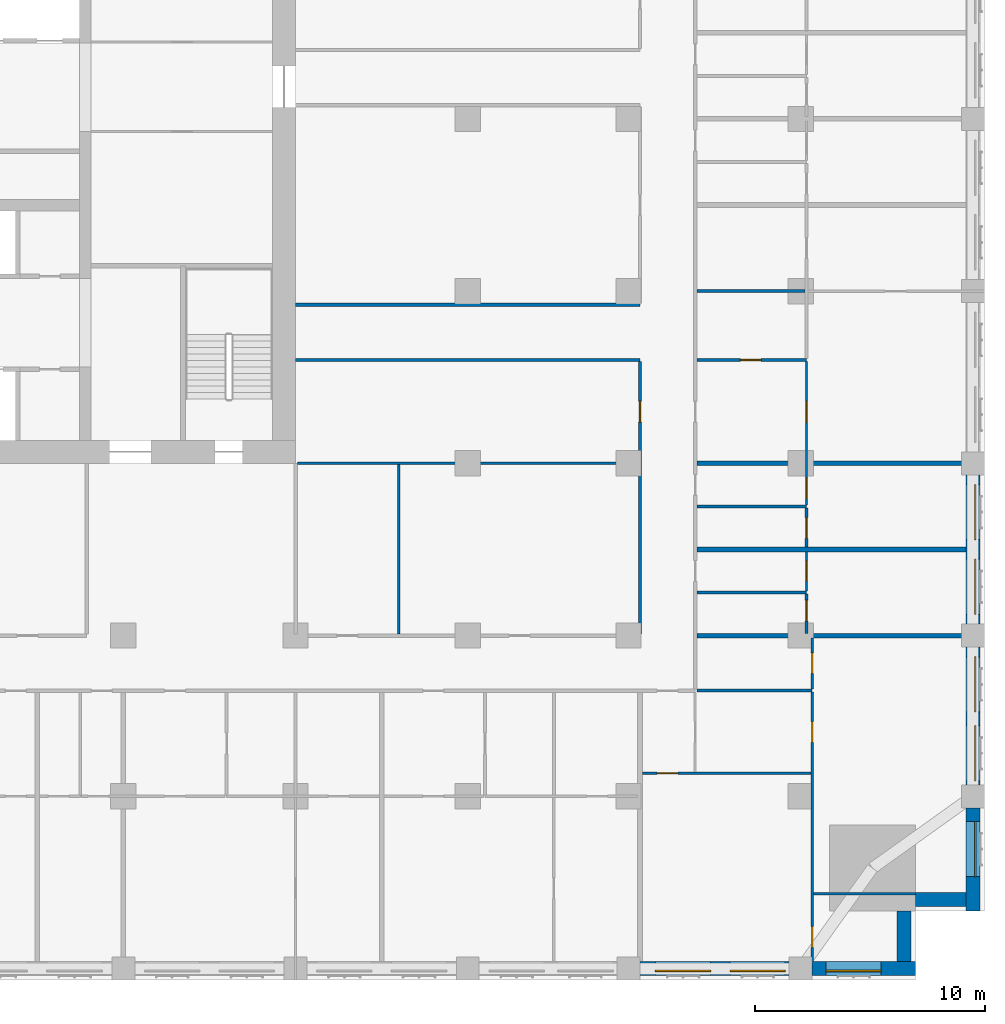
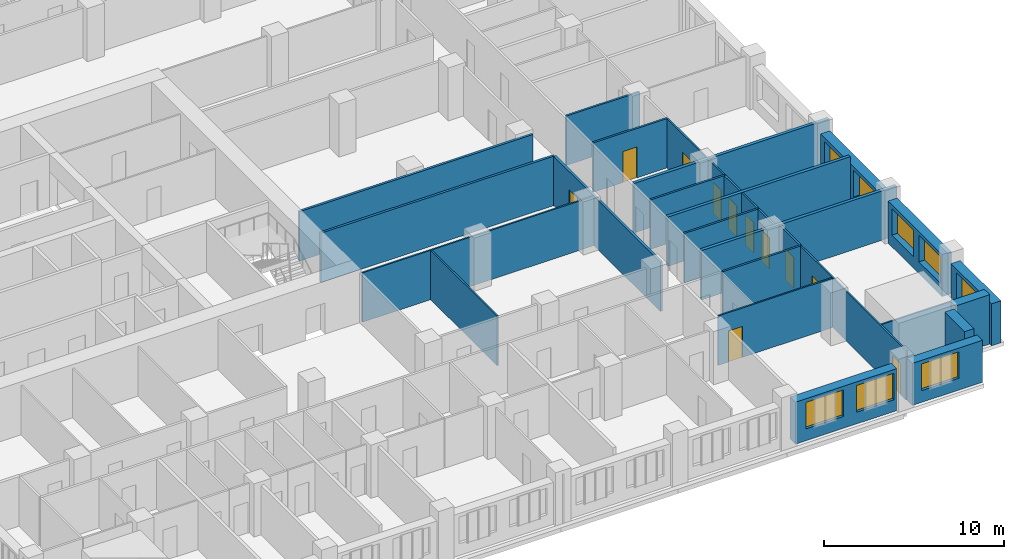
# One storey, part 7 of 15: 28 walls, 11 doors, 8 windows, 19 openings.
"""IFC4 building model written with IfcOpenShell, lengths in metres."""

from ifc_helpers import new_model, si_unit, direction, frame, frame_2d, origin, place, context, subcontext, project, spatial, rectangle, extrude, material, layer, layer_set, type_object, element, fill, save


model = new_model("IFC4")

# Units and contexts
model_context = context("Model", 3, precision=1e-05, world=origin(), true_north=direction((0.0, 1.0)))
body_context = subcontext(model_context, "Body", "Model", "MODEL_VIEW")
ifc_project = project(units=[si_unit("LENGTHUNIT", "METRE"), si_unit("AREAUNIT", "SQUARE_METRE"), si_unit("VOLUMEUNIT", "CUBIC_METRE"), si_unit("PLANEANGLEUNIT", "RADIAN"), si_unit("MASSUNIT", "GRAM", prefix="KILO")], contexts=[model_context])

# Site, building, storey
site_placement = place(None, origin())
site = spatial("IfcSite", under=ifc_project, at=site_placement, CompositionType="ELEMENT")
building_placement = place(site_placement, origin())
building = spatial("IfcBuilding", under=site, at=building_placement, Name="Tamorin Gate", CompositionType="ELEMENT")
storey_placement = place(building_placement, frame((0.0, 0.0, 82.699951171875)))
storey = spatial("IfcBuildingStorey", under=building, at=storey_placement, Name="L19", CompositionType="ELEMENT", Elevation=82.699951171875)

# Wall, openings, windows
ifc_material_1 = material(Name="Precast concrete C40/50", Category="concrete")
ifc_layer_1 = layer(ifc_material_1, 0.60009765625)
ifc_layer_set_1 = layer_set([ifc_layer_1], Name="Precast concrete C40/50")
wall_type_1 = type_object("IfcWallType", Name="Board-marked concrete facade panel 600", PredefinedType="SOLIDWALL", material=ifc_layer_set_1)
wall_1_placement = place(storey_placement, frame((75.0, 38.0, 0.0), z_axis=(0.0, 0.0, 1.0), x_axis=(1.0, 0.0, 0.0)))
wall_1 = element("IfcWall", 1, at=wall_1_placement, inside=storey, type_object=wall_type_1, Name="Facade panel", PredefinedType="SOLIDWALL", context=body_context, shape_type="SweptSolid", body=[
    extrude(rectangle(XDim=6.5, YDim=0.60009765625, at=frame_2d((3.25, 0.0))), origin(), (0.0, 0.0, 1.0), 2.85009765625),
])
opening_1_placement = place(wall_1_placement, frame((0.675048828125, 0.0, 0.800048828125)))
opening_1 = element("IfcOpeningElement", 2, at=opening_1_placement, cuts=wall_1, Name="Opening WN1", PredefinedType="OPENING", context=body_context, shape_type="SweptSolid", body=[
    extrude(rectangle(XDim=2.39990234375, YDim=1.800048828125, at=frame_2d((1.199951171875, 0.89990234375))), frame((0.0, 0.31005859375, 0.0), z_axis=(0.0, -1.0, 0.0), x_axis=(1.0, 0.0, 0.0)), (0.0, 0.0, 1.0), 0.6201171875),
])
opening_2_placement = place(wall_1_placement, frame((3.925048828125, 0.0, 0.800048828125)))
opening_2 = element("IfcOpeningElement", 3, at=opening_2_placement, cuts=wall_1, Name="Opening WN1", PredefinedType="OPENING", context=body_context, shape_type="SweptSolid", body=[
    extrude(rectangle(XDim=2.39990234375, YDim=1.800048828125, at=frame_2d((1.199951171875, 0.89990234375))), frame((0.0, 0.31005859375, 0.0), z_axis=(0.0, -1.0, 0.0), x_axis=(1.0, 0.0, 0.0)), (0.0, 0.0, 1.0), 0.6201171875),
])
ifc_material_2 = material(Name="Clear glass in aluminium frame", Category="aluminium")
window_type = type_object("IfcWindowType", Name="Deep-set window 2400x1800", PartitioningType="SINGLE_PANEL", PredefinedType="WINDOW", material=ifc_material_2)
window_1_placement = place(opening_1_placement, origin())
window_1 = element("IfcWindow", 4, at=window_1_placement, inside=storey, type_object=window_type, Name="Deep-set window", OverallHeight=1.800048828125, OverallWidth=2.39990234375, PartitioningType="SINGLE_PANEL", PredefinedType="WINDOW", context=body_context, shape_type="SweptSolid", body=[
    extrude(rectangle(XDim=2.39990234375, YDim=1.800048828125, at=frame_2d((1.199951171875, 0.89990234375))), frame((0.0, -0.070068359375, 0.0), z_axis=(0.0, -1.0, 0.0), x_axis=(1.0, 0.0, 0.0)), (0.0, 0.0, 1.0), 0.06005859375),
])
fill(opening_1, window_1)
window_2_placement = place(opening_2_placement, origin())
window_2 = element("IfcWindow", 5, at=window_2_placement, inside=storey, type_object=window_type, Name="Deep-set window", OverallHeight=1.800048828125, OverallWidth=2.39990234375, PartitioningType="SINGLE_PANEL", PredefinedType="WINDOW", context=body_context, shape_type="SweptSolid", body=[
    extrude(rectangle(XDim=2.39990234375, YDim=1.800048828125, at=frame_2d((1.199951171875, 0.89990234375))), frame((0.0, -0.070068359375, 0.0), z_axis=(0.0, -1.0, 0.0), x_axis=(1.0, 0.0, 0.0)), (0.0, 0.0, 1.0), 0.06005859375),
])
fill(opening_2, window_2)

# Wall, opening, window
wall_2_placement = place(storey_placement, frame((82.5, 38.0, 0.0), z_axis=(0.0, 0.0, 1.0), x_axis=(1.0, 0.0, 0.0)))
wall_2 = element("IfcWall", 6, at=wall_2_placement, inside=storey, type_object=wall_type_1, Name="Facade panel", PredefinedType="SOLIDWALL", context=body_context, shape_type="SweptSolid", body=[
    extrude(rectangle(XDim=4.5, YDim=0.60009765625, at=frame_2d((2.25, 0.0))), origin(), (0.0, 0.0, 1.0), 2.85009765625),
])
opening_3_placement = place(wall_2_placement, frame((0.60009765625, 0.0, 0.800048828125)))
opening_3 = element("IfcOpeningElement", 7, at=opening_3_placement, cuts=wall_2, Name="Opening WN1", PredefinedType="OPENING", context=body_context, shape_type="SweptSolid", body=[
    extrude(rectangle(XDim=2.39990234375, YDim=1.800048828125, at=frame_2d((1.199951171875, 0.89990234375))), frame((0.0, 0.31005859375, 0.0), z_axis=(0.0, -1.0, 0.0), x_axis=(1.0, 0.0, 0.0)), (0.0, 0.0, 1.0), 0.6201171875),
])
window_3_placement = place(opening_3_placement, origin())
window_3 = element("IfcWindow", 8, at=window_3_placement, inside=storey, type_object=window_type, Name="Deep-set window", OverallHeight=1.800048828125, OverallWidth=2.39990234375, PartitioningType="SINGLE_PANEL", PredefinedType="WINDOW", context=body_context, shape_type="SweptSolid", body=[
    extrude(rectangle(XDim=2.39990234375, YDim=1.800048828125, at=frame_2d((1.199951171875, 0.89990234375))), frame((0.0, -0.070068359375, 0.0), z_axis=(0.0, -1.0, 0.0), x_axis=(1.0, 0.0, 0.0)), (0.0, 0.0, 1.0), 0.06005859375),
])
fill(opening_3, window_3)

# Walls
for number, where, z_axis, x_axis, name in (
    (9, (86.5, 38.300048828125, 0.0), (0.0, 0.0, 1.0), (0.0, 1.0, 0.0), "Facade panel"),
    (10, (87.0, 41.0, 0.0), (0.0, 0.0, 1.0), (1.0, 0.0, 0.0), "Facade panel"),
):
    element("IfcWall", number, at=place(storey_placement, frame(where, z_axis=z_axis, x_axis=x_axis)), inside=storey, type_object=wall_type_1, Name=name, PredefinedType="SOLIDWALL", context=body_context, shape_type="SweptSolid", body=[
        extrude(rectangle(XDim=2.199951171875, YDim=0.60009765625, at=frame_2d((1.10009765625, 0.0))), origin(), (0.0, 0.0, 1.0), 3.35009765625),
    ])

# Wall, opening, window
wall_3_placement = place(storey_placement, frame((89.5, 40.5, 0.0), z_axis=(0.0, 0.0, 1.0), x_axis=(0.0, 1.0, 0.0)))
wall_3 = element("IfcWall", 11, at=wall_3_placement, inside=storey, type_object=wall_type_1, Name="Facade panel", PredefinedType="SOLIDWALL", context=body_context, shape_type="SweptSolid", body=[
    extrude(rectangle(XDim=4.5, YDim=0.60009765625, at=frame_2d((2.25, 0.0))), origin(), (0.0, 0.0, 1.0), 2.85009765625),
])
opening_4_placement = place(wall_3_placement, frame((1.5, 0.0, 0.800048828125)))
opening_4 = element("IfcOpeningElement", 12, at=opening_4_placement, cuts=wall_3, Name="Opening WN1", PredefinedType="OPENING", context=body_context, shape_type="SweptSolid", body=[
    extrude(rectangle(XDim=2.39990234375, YDim=1.800048828125, at=frame_2d((1.199951171875, 0.89990234375))), frame((0.0, 0.31005859375, 0.0), z_axis=(0.0, -1.0, 0.0), x_axis=(1.0, 0.0, 0.0)), (0.0, 0.0, 1.0), 0.6201171875),
])
window_4_placement = place(opening_4_placement, origin())
window_4 = element("IfcWindow", 13, at=window_4_placement, inside=storey, type_object=window_type, Name="Deep-set window", OverallHeight=1.800048828125, OverallWidth=2.39990234375, PartitioningType="SINGLE_PANEL", PredefinedType="WINDOW", context=body_context, shape_type="SweptSolid", body=[
    extrude(rectangle(XDim=2.39990234375, YDim=1.800048828125, at=frame_2d((1.199951171875, 0.89990234375))), frame((0.0, -0.070068359375, 0.0), z_axis=(0.0, -1.0, 0.0), x_axis=(1.0, 0.0, 0.0)), (0.0, 0.0, 1.0), 0.06005859375),
])
fill(opening_4, window_4)

# Wall, openings, windows
wall_4_placement = place(storey_placement, frame((89.5, 46.0, 0.0), z_axis=(0.0, 0.0, 1.0), x_axis=(0.0, 1.0, 0.0)))
wall_4 = element("IfcWall", 14, at=wall_4_placement, inside=storey, type_object=wall_type_1, Name="Facade panel", PredefinedType="SOLIDWALL", context=body_context, shape_type="SweptSolid", body=[
    extrude(rectangle(XDim=6.0, YDim=0.60009765625, at=frame_2d((3.0, 0.0))), origin(), (0.0, 0.0, 1.0), 2.85009765625),
])
opening_5_placement = place(wall_4_placement, frame((0.175048828125, 0.0, 0.800048828125)))
opening_5 = element("IfcOpeningElement", 15, at=opening_5_placement, cuts=wall_4, Name="Opening WN1", PredefinedType="OPENING", context=body_context, shape_type="SweptSolid", body=[
    extrude(rectangle(XDim=2.39990234375, YDim=1.800048828125, at=frame_2d((1.199951171875, 0.89990234375))), frame((0.0, 0.31005859375, 0.0), z_axis=(0.0, -1.0, 0.0), x_axis=(1.0, 0.0, 0.0)), (0.0, 0.0, 1.0), 0.6201171875),
])
opening_6_placement = place(wall_4_placement, frame((3.175048828125, 0.0, 0.800048828125)))
opening_6 = element("IfcOpeningElement", 16, at=opening_6_placement, cuts=wall_4, Name="Opening WN1", PredefinedType="OPENING", context=body_context, shape_type="SweptSolid", body=[
    extrude(rectangle(XDim=2.39990234375, YDim=1.800048828125, at=frame_2d((1.199951171875, 0.89990234375))), frame((0.0, 0.31005859375, 0.0), z_axis=(0.0, -1.0, 0.0), x_axis=(1.0, 0.0, 0.0)), (0.0, 0.0, 1.0), 0.6201171875),
])
window_5_placement = place(opening_5_placement, origin())
window_5 = element("IfcWindow", 17, at=window_5_placement, inside=storey, type_object=window_type, Name="Deep-set window", OverallHeight=1.800048828125, OverallWidth=2.39990234375, PartitioningType="SINGLE_PANEL", PredefinedType="WINDOW", context=body_context, shape_type="SweptSolid", body=[
    extrude(rectangle(XDim=2.39990234375, YDim=1.800048828125, at=frame_2d((1.199951171875, 0.89990234375))), frame((0.0, -0.070068359375, 0.0), z_axis=(0.0, -1.0, 0.0), x_axis=(1.0, 0.0, 0.0)), (0.0, 0.0, 1.0), 0.06005859375),
])
fill(opening_5, window_5)
window_6_placement = place(opening_6_placement, origin())
window_6 = element("IfcWindow", 18, at=window_6_placement, inside=storey, type_object=window_type, Name="Deep-set window", OverallHeight=1.800048828125, OverallWidth=2.39990234375, PartitioningType="SINGLE_PANEL", PredefinedType="WINDOW", context=body_context, shape_type="SweptSolid", body=[
    extrude(rectangle(XDim=2.39990234375, YDim=1.800048828125, at=frame_2d((1.199951171875, 0.89990234375))), frame((0.0, -0.070068359375, 0.0), z_axis=(0.0, -1.0, 0.0), x_axis=(1.0, 0.0, 0.0)), (0.0, 0.0, 1.0), 0.06005859375),
])
fill(opening_6, window_6)

wall_5_placement = place(storey_placement, frame((89.5, 53.0, 0.0), z_axis=(0.0, 0.0, 1.0), x_axis=(0.0, 1.0, 0.0)))
wall_5 = element("IfcWall", 19, at=wall_5_placement, inside=storey, type_object=wall_type_1, Name="Facade panel", PredefinedType="SOLIDWALL", context=body_context, shape_type="SweptSolid", body=[
    extrude(rectangle(XDim=6.5, YDim=0.60009765625, at=frame_2d((3.25, 0.0))), origin(), (0.0, 0.0, 1.0), 2.85009765625),
])
opening_7_placement = place(wall_5_placement, frame((0.425048828125, 0.0, 0.800048828125)))
opening_7 = element("IfcOpeningElement", 20, at=opening_7_placement, cuts=wall_5, Name="Opening WN1", PredefinedType="OPENING", context=body_context, shape_type="SweptSolid", body=[
    extrude(rectangle(XDim=2.39990234375, YDim=1.800048828125, at=frame_2d((1.199951171875, 0.89990234375))), frame((0.0, 0.31005859375, 0.0), z_axis=(0.0, -1.0, 0.0), x_axis=(1.0, 0.0, 0.0)), (0.0, 0.0, 1.0), 0.6201171875),
])
opening_8_placement = place(wall_5_placement, frame((3.675048828125, 0.0, 0.800048828125)))
opening_8 = element("IfcOpeningElement", 21, at=opening_8_placement, cuts=wall_5, Name="Opening WN1", PredefinedType="OPENING", context=body_context, shape_type="SweptSolid", body=[
    extrude(rectangle(XDim=2.39990234375, YDim=1.800048828125, at=frame_2d((1.199951171875, 0.89990234375))), frame((0.0, 0.31005859375, 0.0), z_axis=(0.0, -1.0, 0.0), x_axis=(1.0, 0.0, 0.0)), (0.0, 0.0, 1.0), 0.6201171875),
])
window_7_placement = place(opening_7_placement, origin())
window_7 = element("IfcWindow", 22, at=window_7_placement, inside=storey, type_object=window_type, Name="Deep-set window", OverallHeight=1.800048828125, OverallWidth=2.39990234375, PartitioningType="SINGLE_PANEL", PredefinedType="WINDOW", context=body_context, shape_type="SweptSolid", body=[
    extrude(rectangle(XDim=2.39990234375, YDim=1.800048828125, at=frame_2d((1.199951171875, 0.89990234375))), frame((0.0, -0.070068359375, 0.0), z_axis=(0.0, -1.0, 0.0), x_axis=(1.0, 0.0, 0.0)), (0.0, 0.0, 1.0), 0.06005859375),
])
fill(opening_7, window_7)
window_8_placement = place(opening_8_placement, origin())
window_8 = element("IfcWindow", 23, at=window_8_placement, inside=storey, type_object=window_type, Name="Deep-set window", OverallHeight=1.800048828125, OverallWidth=2.39990234375, PartitioningType="SINGLE_PANEL", PredefinedType="WINDOW", context=body_context, shape_type="SweptSolid", body=[
    extrude(rectangle(XDim=2.39990234375, YDim=1.800048828125, at=frame_2d((1.199951171875, 0.89990234375))), frame((0.0, -0.070068359375, 0.0), z_axis=(0.0, -1.0, 0.0), x_axis=(1.0, 0.0, 0.0)), (0.0, 0.0, 1.0), 0.06005859375),
])
fill(opening_8, window_8)

# Wall, opening, door
ifc_material_3 = material(Name="Gypsum board partition")
ifc_layer_2 = layer(ifc_material_3, 0.14990234375)
ifc_layer_set_2 = layer_set([ifc_layer_2], Name="Corridor wall 150")
wall_type_2 = type_object("IfcWallType", Name="Corridor wall 150", PredefinedType="PARTITIONING", material=ifc_layer_set_2)
wall_6_placement = place(storey_placement, frame((75.0, 52.574951171875, 0.0), z_axis=(0.0, 0.0, 1.0), x_axis=(0.0, 1.0, 0.0)))
wall_6 = element("IfcWall", 24, at=wall_6_placement, inside=storey, type_object=wall_type_2, Name="Corridor wall 150", PredefinedType="PARTITIONING", context=body_context, shape_type="SweptSolid", body=[
    extrude(rectangle(XDim=11.85009765625, YDim=0.14990234375, at=frame_2d((5.925048828125, 0.0))), origin(), (0.0, 0.0, 1.0), 3.35009765625),
])
opening_9_placement = place(wall_6_placement, frame((9.22509765625, 0.0, 0.0)))
opening_9 = element("IfcOpeningElement", 25, at=opening_9_placement, cuts=wall_6, Name="Opening DH6095", PredefinedType="OPENING", context=body_context, shape_type="SweptSolid", body=[
    extrude(rectangle(XDim=0.89990234375, YDim=2.10009765625, at=frame_2d((0.449951171875, 1.050048828125))), frame((0.0, 0.0849609375, 0.0), z_axis=(0.0, -1.0, 0.0), x_axis=(1.0, 0.0, 0.0)), (0.0, 0.0, 1.0), 0.169921875),
])
ifc_material_4 = material(Name="Timber door leaf", Category="wood")
door_type_1 = type_object("IfcDoorType", Name="Door 900 x 2100 FD30S", OperationType="NOTDEFINED", PredefinedType="DOOR", material=ifc_material_4)
door_1_placement = place(opening_9_placement, origin())
door_1 = element("IfcDoor", 26, at=door_1_placement, inside=storey, type_object=door_type_1, Name="Door DH6095", OperationType="SINGLE_SWING_LEFT", OverallHeight=2.10009765625, OverallWidth=0.89990234375, PredefinedType="DOOR", context=body_context, shape_type="SweptSolid", body=[
    extrude(rectangle(XDim=0.89990234375, YDim=2.10009765625, at=frame_2d((0.449951171875, 1.050048828125))), frame((0.0, 0.02490234375, 0.0), z_axis=(0.0, -1.0, 0.0), x_axis=(1.0, 0.0, 0.0)), (0.0, 0.0, 1.0), 0.050048828125),
])
fill(opening_9, door_1)

# Walls
ifc_layer_3 = layer(ifc_material_3, 0.199951171875)
ifc_layer_set_3 = layer_set([ifc_layer_3], Name="Demising wall 200")
wall_type_3 = type_object("IfcWallType", Name="Demising wall 200", PredefinedType="PARTITIONING", material=ifc_layer_set_3)
wall_7_placement = place(storey_placement, frame((77.47509765625, 52.5, 0.0), z_axis=(0.0, 0.0, 1.0), x_axis=(1.0, 0.0, 0.0)))
element("IfcWall", 27, at=wall_7_placement, inside=storey, type_object=wall_type_3, Name="Demising wall 200", PredefinedType="PARTITIONING", context=body_context, shape_type="SweptSolid", body=[
    extrude(rectangle(XDim=12.52490234375, YDim=0.199951171875, at=frame_2d((6.262451171875, 0.0))), origin(), (0.0, 0.0, 1.0), 3.35009765625),
])
wall_8_placement = place(storey_placement, frame((77.47509765625, 56.25, 0.0), z_axis=(0.0, 0.0, 1.0), x_axis=(1.0, 0.0, 0.0)))
element("IfcWall", 28, at=wall_8_placement, inside=storey, type_object=wall_type_3, Name="Demising wall 200", PredefinedType="PARTITIONING", context=body_context, shape_type="SweptSolid", body=[
    extrude(rectangle(XDim=11.71484375, YDim=0.199951171875, at=frame_2d((5.857421875, 0.0))), origin(), (0.0, 0.0, 1.0), 3.35009765625),
])
wall_9_placement = place(storey_placement, frame((77.47509765625, 60.0, 0.0), z_axis=(0.0, 0.0, 1.0), x_axis=(1.0, 0.0, 0.0)))
element("IfcWall", 29, at=wall_9_placement, inside=storey, type_object=wall_type_3, Name="Demising wall 200", PredefinedType="PARTITIONING", context=body_context, shape_type="SweptSolid", body=[
    extrude(rectangle(XDim=12.52490234375, YDim=0.199951171875, at=frame_2d((6.262451171875, 0.0))), origin(), (0.0, 0.0, 1.0), 3.35009765625),
])
ifc_layer_4 = layer(ifc_material_3, 0.14990234375)
ifc_layer_set_4 = layer_set([ifc_layer_4], Name="Lobby wall 150")
wall_type_4 = type_object("IfcWallType", Name="Lobby wall 150", PredefinedType="PARTITIONING", material=ifc_layer_set_4)
for number, where, z_axis, x_axis, name in (
    (30, (60.0, 64.5, 0.0), (0.0, 0.0, 1.0), (1.0, 0.0, 0.0), "Lobby wall 150"),
    (31, (60.0, 66.89990234375, 0.0), (0.0, 0.0, 1.0), (1.0, 0.0, 0.0), "Lobby wall 150"),
):
    element("IfcWall", number, at=place(storey_placement, frame(where, z_axis=z_axis, x_axis=x_axis)), inside=storey, type_object=wall_type_4, Name=name, PredefinedType="PARTITIONING", context=body_context, shape_type="SweptSolid", body=[
        extrude(rectangle(XDim=15.0, YDim=0.14990234375, at=frame_2d((7.5, 0.0))), origin(), (0.0, 0.0, 1.0), 3.35009765625),
    ])
ifc_layer_5 = layer(ifc_material_3, 0.10009765625)
ifc_layer_set_5 = layer_set([ifc_layer_5], Name="Room partition 100")
wall_type_5 = type_object("IfcWallType", Name="Room partition 100", PredefinedType="PARTITIONING", material=ifc_layer_set_5)
wall_10_placement = place(storey_placement, frame((82.550048828125, 41.25, 0.0), z_axis=(0.0, 0.0, 1.0), x_axis=(1.0, 0.0, 0.0)))
element("IfcWall", 32, at=wall_10_placement, inside=storey, type_object=wall_type_5, Name="Room partition 100", PredefinedType="PARTITIONING", context=body_context, shape_type="SweptSolid", body=[
    extrude(rectangle(XDim=4.43994140625, YDim=0.10009765625, at=frame_2d((2.219970703125, 0.0))), origin(), (0.0, 0.0, 1.0), 3.35009765625),
])

# Wall, opening, door
wall_11_placement = place(storey_placement, frame((75.10009765625, 46.5, 0.0), z_axis=(0.0, 0.0, 1.0), x_axis=(1.0, 0.0, 0.0)))
wall_11 = element("IfcWall", 33, at=wall_11_placement, inside=storey, type_object=wall_type_5, Name="Room partition 100", PredefinedType="PARTITIONING", context=body_context, shape_type="SweptSolid", body=[
    extrude(rectangle(XDim=7.349853515625, YDim=0.10009765625, at=frame_2d((3.6748046875, 0.0))), origin(), (0.0, 0.0, 1.0), 3.35009765625),
])
opening_10_placement = place(wall_11_placement, frame((0.64990234375, 0.0, 0.0)))
opening_10 = element("IfcOpeningElement", 34, at=opening_10_placement, cuts=wall_11, Name="Opening DH6075", PredefinedType="OPENING", context=body_context, shape_type="SweptSolid", body=[
    extrude(rectangle(XDim=0.89990234375, YDim=2.10009765625, at=frame_2d((0.449951171875, 1.050048828125))), frame((0.0, 0.06005859375, 0.0), z_axis=(0.0, -1.0, 0.0), x_axis=(1.0, 0.0, 0.0)), (0.0, 0.0, 1.0), 0.1201171875),
])
door_type_2 = type_object("IfcDoorType", Name="Door 900 x 2100", OperationType="NOTDEFINED", PredefinedType="DOOR", material=ifc_material_4)
door_2_placement = place(opening_10_placement, origin())
door_2 = element("IfcDoor", 35, at=door_2_placement, inside=storey, type_object=door_type_2, Name="Door DH6075", OperationType="SINGLE_SWING_RIGHT", OverallHeight=2.10009765625, OverallWidth=0.89990234375, PredefinedType="DOOR", context=body_context, shape_type="SweptSolid", body=[
    extrude(rectangle(XDim=0.89990234375, YDim=2.10009765625, at=frame_2d((0.449951171875, 1.050048828125))), frame((0.0, 0.02490234375, 0.0), z_axis=(0.0, -1.0, 0.0), x_axis=(1.0, 0.0, 0.0)), (0.0, 0.0, 1.0), 0.050048828125),
])
fill(opening_10, door_2)

# Walls
wall_12_placement = place(storey_placement, frame((60.074951171875, 60.0, 0.0), z_axis=(0.0, 0.0, 1.0), x_axis=(1.0, 0.0, 0.0)))
element("IfcWall", 36, at=wall_12_placement, inside=storey, type_object=wall_type_5, Name="Room partition 100", PredefinedType="PARTITIONING", context=body_context, shape_type="SweptSolid", body=[
    extrude(rectangle(XDim=14.85009765625, YDim=0.10009765625, at=frame_2d((7.425048828125, 0.0))), origin(), (0.0, 0.0, 1.0), 3.35009765625),
])
wall_13_placement = place(storey_placement, frame((64.5, 52.574951171875, 0.0), z_axis=(0.0, 0.0, 1.0), x_axis=(0.0, 1.0, 0.0)))
element("IfcWall", 37, at=wall_13_placement, inside=storey, type_object=wall_type_5, Name="Room partition 100", PredefinedType="PARTITIONING", context=body_context, shape_type="SweptSolid", body=[
    extrude(rectangle(XDim=7.375, YDim=0.10009765625, at=frame_2d((3.6875, 0.0))), origin(), (0.0, 0.0, 1.0), 3.35009765625),
])

# Wall, opening, door
wall_14_placement = place(storey_placement, frame((82.25, 54.4375, 0.0), z_axis=(0.0, 0.0, 1.0), x_axis=(0.0, 1.0, 0.0)))
wall_14 = element("IfcWall", 38, at=wall_14_placement, inside=storey, type_object=wall_type_5, Name="Room partition 100", PredefinedType="PARTITIONING", context=body_context, shape_type="SweptSolid", body=[
    extrude(rectangle(XDim=1.71240234375, YDim=0.10009765625, at=frame_2d((0.856201171875, 0.0))), origin(), (0.0, 0.0, 1.0), 3.35009765625),
])
opening_11_placement = place(wall_14_placement, frame((0.425048828125, 0.0, 0.0)))
opening_11 = element("IfcOpeningElement", 39, at=opening_11_placement, cuts=wall_14, Name="Opening DH6053", PredefinedType="OPENING", context=body_context, shape_type="SweptSolid", body=[
    extrude(rectangle(XDim=0.89990234375, YDim=2.10009765625, at=frame_2d((0.449951171875, 1.050048828125))), frame((0.0, 0.06005859375, 0.0), z_axis=(0.0, -1.0, 0.0), x_axis=(1.0, 0.0, 0.0)), (0.0, 0.0, 1.0), 0.1201171875),
])
door_3_placement = place(opening_11_placement, origin())
door_3 = element("IfcDoor", 40, at=door_3_placement, inside=storey, type_object=door_type_2, Name="Door DH6053", OperationType="SINGLE_SWING_LEFT", OverallHeight=2.10009765625, OverallWidth=0.89990234375, PredefinedType="DOOR", context=body_context, shape_type="SweptSolid", body=[
    extrude(rectangle(XDim=0.89990234375, YDim=2.10009765625, at=frame_2d((0.449951171875, 1.050048828125))), frame((0.0, 0.02490234375, 0.0), z_axis=(0.0, -1.0, 0.0), x_axis=(1.0, 0.0, 0.0)), (0.0, 0.0, 1.0), 0.050048828125),
])
fill(opening_11, door_3)

# Wall, openings, doors
wall_15_placement = place(storey_placement, frame((82.25, 58.1875, 0.0), z_axis=(0.0, 0.0, 1.0), x_axis=(0.0, 1.0, 0.0)))
wall_15 = element("IfcWall", 41, at=wall_15_placement, inside=storey, type_object=wall_type_5, Name="Room partition 100", PredefinedType="PARTITIONING", context=body_context, shape_type="SweptSolid", body=[
    extrude(rectangle(XDim=6.25, YDim=0.10009765625, at=frame_2d((3.125, 0.0))), origin(), (0.0, 0.0, 1.0), 3.35009765625),
])
opening_12_placement = place(wall_15_placement, frame((0.27490234375, 0.0, 0.0)))
opening_12 = element("IfcOpeningElement", 42, at=opening_12_placement, cuts=wall_15, Name="Opening DH6056", PredefinedType="OPENING", context=body_context, shape_type="SweptSolid", body=[
    extrude(rectangle(XDim=0.89990234375, YDim=2.10009765625, at=frame_2d((0.449951171875, 1.050048828125))), frame((0.0, 0.06005859375, 0.0), z_axis=(0.0, -1.0, 0.0), x_axis=(1.0, 0.0, 0.0)), (0.0, 0.0, 1.0), 0.1201171875),
])
opening_13_placement = place(wall_15_placement, frame((3.612548828125, 0.0, 0.0)))
opening_13 = element("IfcOpeningElement", 43, at=opening_13_placement, cuts=wall_15, Name="Opening DH6058", PredefinedType="OPENING", context=body_context, shape_type="SweptSolid", body=[
    extrude(rectangle(XDim=0.89990234375, YDim=2.10009765625, at=frame_2d((0.449951171875, 1.050048828125))), frame((0.0, 0.06005859375, 0.0), z_axis=(0.0, -1.0, 0.0), x_axis=(1.0, 0.0, 0.0)), (0.0, 0.0, 1.0), 0.1201171875),
])
door_4_placement = place(opening_12_placement, origin())
door_4 = element("IfcDoor", 44, at=door_4_placement, inside=storey, type_object=door_type_2, Name="Door DH6056", OperationType="SINGLE_SWING_LEFT", OverallHeight=2.10009765625, OverallWidth=0.89990234375, PredefinedType="DOOR", context=body_context, shape_type="SweptSolid", body=[
    extrude(rectangle(XDim=0.89990234375, YDim=2.10009765625, at=frame_2d((0.449951171875, 1.050048828125))), frame((0.0, 0.02490234375, 0.0), z_axis=(0.0, -1.0, 0.0), x_axis=(1.0, 0.0, 0.0)), (0.0, 0.0, 1.0), 0.050048828125),
])
fill(opening_12, door_4)
door_5_placement = place(opening_13_placement, origin())
door_5 = element("IfcDoor", 45, at=door_5_placement, inside=storey, type_object=door_type_2, Name="Door DH6058", OperationType="SINGLE_SWING_LEFT", OverallHeight=2.10009765625, OverallWidth=0.89990234375, PredefinedType="DOOR", context=body_context, shape_type="SweptSolid", body=[
    extrude(rectangle(XDim=0.89990234375, YDim=2.10009765625, at=frame_2d((0.449951171875, 1.050048828125))), frame((0.0, 0.02490234375, 0.0), z_axis=(0.0, -1.0, 0.0), x_axis=(1.0, 0.0, 0.0)), (0.0, 0.0, 1.0), 0.050048828125),
])
fill(opening_13, door_5)

wall_16_placement = place(storey_placement, frame((82.5, 38.31005859375, 0.0), z_axis=(0.0, 0.0, 1.0), x_axis=(0.0, 1.0, 0.0)))
wall_16 = element("IfcWall", 46, at=wall_16_placement, inside=storey, type_object=wall_type_5, Name="Room partition 100", PredefinedType="PARTITIONING", context=body_context, shape_type="SweptSolid", body=[
    extrude(rectangle(XDim=11.7275390625, YDim=0.10009765625, at=frame_2d((5.86376953125, 0.0))), origin(), (0.0, 0.0, 1.0), 3.35009765625),
])
opening_14_placement = place(wall_16_placement, frame((0.614990234375, 0.0, 0.0)))
opening_14 = element("IfcOpeningElement", 47, at=opening_14_placement, cuts=wall_16, Name="Opening DH6077", PredefinedType="OPENING", context=body_context, shape_type="SweptSolid", body=[
    extrude(rectangle(XDim=0.89990234375, YDim=2.10009765625, at=frame_2d((0.449951171875, 1.050048828125))), frame((0.0, 0.06005859375, 0.0), z_axis=(0.0, -1.0, 0.0), x_axis=(1.0, 0.0, 0.0)), (0.0, 0.0, 1.0), 0.1201171875),
])
opening_15_placement = place(wall_16_placement, frame((9.5400390625, 0.0, 0.0)))
opening_15 = element("IfcOpeningElement", 48, at=opening_15_placement, cuts=wall_16, Name="Opening DH6078", PredefinedType="OPENING", context=body_context, shape_type="SweptSolid", body=[
    extrude(rectangle(XDim=0.89990234375, YDim=2.10009765625, at=frame_2d((0.449951171875, 1.050048828125))), frame((0.0, 0.06005859375, 0.0), z_axis=(0.0, -1.0, 0.0), x_axis=(1.0, 0.0, 0.0)), (0.0, 0.0, 1.0), 0.1201171875),
])
door_6_placement = place(opening_14_placement, origin())
door_6 = element("IfcDoor", 49, at=door_6_placement, inside=storey, type_object=door_type_2, Name="Door DH6077", OperationType="SINGLE_SWING_LEFT", OverallHeight=2.10009765625, OverallWidth=0.89990234375, PredefinedType="DOOR", context=body_context, shape_type="SweptSolid", body=[
    extrude(rectangle(XDim=0.89990234375, YDim=2.10009765625, at=frame_2d((0.449951171875, 1.050048828125))), frame((0.0, 0.02490234375, 0.0), z_axis=(0.0, -1.0, 0.0), x_axis=(1.0, 0.0, 0.0)), (0.0, 0.0, 1.0), 0.050048828125),
])
fill(opening_14, door_6)
door_7_placement = place(opening_15_placement, origin())
door_7 = element("IfcDoor", 50, at=door_7_placement, inside=storey, type_object=door_type_2, Name="Door DH6078", OperationType="SINGLE_SWING_RIGHT", OverallHeight=2.10009765625, OverallWidth=0.89990234375, PredefinedType="DOOR", context=body_context, shape_type="SweptSolid", body=[
    extrude(rectangle(XDim=0.89990234375, YDim=2.10009765625, at=frame_2d((0.449951171875, 1.050048828125))), frame((0.0, 0.02490234375, 0.0), z_axis=(0.0, -1.0, 0.0), x_axis=(1.0, 0.0, 0.0)), (0.0, 0.0, 1.0), 0.050048828125),
])
fill(opening_15, door_7)

# Walls
ifc_layer_6 = layer(ifc_material_3, 0.125)
ifc_layer_set_6 = layer_set([ifc_layer_6], Name="Wet wall 125")
wall_type_6 = type_object("IfcWallType", Name="Wet wall 125", PredefinedType="PARTITIONING", material=ifc_layer_set_6)
wall_17_placement = place(storey_placement, frame((77.47509765625, 50.10009765625, 0.0), z_axis=(0.0, 0.0, 1.0), x_axis=(1.0, 0.0, 0.0)))
element("IfcWall", 51, at=wall_17_placement, inside=storey, type_object=wall_type_6, Name="Wet wall 125", PredefinedType="PARTITIONING", context=body_context, shape_type="SweptSolid", body=[
    extrude(rectangle(XDim=5.02490234375, YDim=0.125, at=frame_2d((2.512451171875, 0.0))), origin(), (0.0, 0.0, 1.0), 3.35009765625),
])
for number, where, z_axis, x_axis, name in (
    (52, (77.47509765625, 54.375, 0.0), (0.0, 0.0, 1.0), (1.0, 0.0, 0.0), "Wet wall 125"),
    (53, (77.47509765625, 58.125, 0.0), (0.0, 0.0, 1.0), (1.0, 0.0, 0.0), "Wet wall 125"),
):
    element("IfcWall", number, at=place(storey_placement, frame(where, z_axis=z_axis, x_axis=x_axis)), inside=storey, type_object=wall_type_6, Name=name, PredefinedType="PARTITIONING", context=body_context, shape_type="SweptSolid", body=[
        extrude(rectangle(XDim=4.77490234375, YDim=0.125, at=frame_2d((2.387451171875, 0.0))), origin(), (0.0, 0.0, 1.0), 3.35009765625),
    ])

# Wall, opening, door
wall_18_placement = place(storey_placement, frame((77.47509765625, 64.5, 0.0), z_axis=(0.0, 0.0, 1.0), x_axis=(1.0, 0.0, 0.0)))
wall_18 = element("IfcWall", 54, at=wall_18_placement, inside=storey, type_object=wall_type_6, Name="Wet wall 125", PredefinedType="PARTITIONING", context=body_context, shape_type="SweptSolid", body=[
    extrude(rectangle(XDim=4.77490234375, YDim=0.125, at=frame_2d((2.387451171875, 0.0))), origin(), (0.0, 0.0, 1.0), 3.35009765625),
])
opening_16_placement = place(wall_18_placement, frame((1.89990234375, 0.0, 0.0)))
opening_16 = element("IfcOpeningElement", 55, at=opening_16_placement, cuts=wall_18, Name="Opening DH6059", PredefinedType="OPENING", context=body_context, shape_type="SweptSolid", body=[
    extrude(rectangle(XDim=0.89990234375, YDim=2.10009765625, at=frame_2d((0.449951171875, 1.050048828125))), frame((0.0, 0.072509765625, 0.0), z_axis=(0.0, -1.0, 0.0), x_axis=(1.0, 0.0, 0.0)), (0.0, 0.0, 1.0), 0.14501953125),
])
door_8_placement = place(opening_16_placement, origin())
door_8 = element("IfcDoor", 56, at=door_8_placement, inside=storey, type_object=door_type_2, Name="Door DH6059", OperationType="SINGLE_SWING_RIGHT", OverallHeight=2.10009765625, OverallWidth=0.89990234375, PredefinedType="DOOR", context=body_context, shape_type="SweptSolid", body=[
    extrude(rectangle(XDim=0.89990234375, YDim=2.10009765625, at=frame_2d((0.449951171875, 1.050048828125))), frame((0.0, 0.02490234375, 0.0), z_axis=(0.0, -1.0, 0.0), x_axis=(1.0, 0.0, 0.0)), (0.0, 0.0, 1.0), 0.050048828125),
])
fill(opening_16, door_8)

# Wall
wall_19_placement = place(storey_placement, frame((77.47509765625, 67.5, 0.0), z_axis=(0.0, 0.0, 1.0), x_axis=(1.0, 0.0, 0.0)))
element("IfcWall", 57, at=wall_19_placement, inside=storey, type_object=wall_type_6, Name="Wet wall 125", PredefinedType="PARTITIONING", context=body_context, shape_type="SweptSolid", body=[
    extrude(rectangle(XDim=4.71240234375, YDim=0.125, at=frame_2d((2.356201171875, 0.0))), origin(), (0.0, 0.0, 1.0), 3.35009765625),
])

# Wall, opening, door
wall_20_placement = place(storey_placement, frame((82.25, 52.60009765625, 0.0), z_axis=(0.0, 0.0, 1.0), x_axis=(0.0, 1.0, 0.0)))
wall_20 = element("IfcWall", 58, at=wall_20_placement, inside=storey, type_object=wall_type_6, Name="Wet wall 125", PredefinedType="PARTITIONING", context=body_context, shape_type="SweptSolid", body=[
    extrude(rectangle(XDim=1.71240234375, YDim=0.125, at=frame_2d((0.856201171875, 0.0))), origin(), (0.0, 0.0, 1.0), 3.35009765625),
])
opening_17_placement = place(wall_20_placement, frame((0.53759765625, 0.0, 0.0)))
opening_17 = element("IfcOpeningElement", 59, at=opening_17_placement, cuts=wall_20, Name="Opening DH6051", PredefinedType="OPENING", context=body_context, shape_type="SweptSolid", body=[
    extrude(rectangle(XDim=0.89990234375, YDim=2.10009765625, at=frame_2d((0.449951171875, 1.050048828125))), frame((0.0, 0.072509765625, 0.0), z_axis=(0.0, -1.0, 0.0), x_axis=(1.0, 0.0, 0.0)), (0.0, 0.0, 1.0), 0.14501953125),
])
door_9_placement = place(opening_17_placement, origin())
door_9 = element("IfcDoor", 60, at=door_9_placement, inside=storey, type_object=door_type_2, Name="Door DH6051", OperationType="SINGLE_SWING_RIGHT", OverallHeight=2.10009765625, OverallWidth=0.89990234375, PredefinedType="DOOR", context=body_context, shape_type="SweptSolid", body=[
    extrude(rectangle(XDim=0.89990234375, YDim=2.10009765625, at=frame_2d((0.449951171875, 1.050048828125))), frame((0.0, 0.02490234375, 0.0), z_axis=(0.0, -1.0, 0.0), x_axis=(1.0, 0.0, 0.0)), (0.0, 0.0, 1.0), 0.050048828125),
])
fill(opening_17, door_9)

wall_21_placement = place(storey_placement, frame((82.25, 56.35009765625, 0.0), z_axis=(0.0, 0.0, 1.0), x_axis=(0.0, 1.0, 0.0)))
wall_21 = element("IfcWall", 61, at=wall_21_placement, inside=storey, type_object=wall_type_6, Name="Wet wall 125", PredefinedType="PARTITIONING", context=body_context, shape_type="SweptSolid", body=[
    extrude(rectangle(XDim=1.71240234375, YDim=0.125, at=frame_2d((0.856201171875, 0.0))), origin(), (0.0, 0.0, 1.0), 3.35009765625),
])
opening_18_placement = place(wall_21_placement, frame((0.387451171875, 0.0, 0.0)))
opening_18 = element("IfcOpeningElement", 62, at=opening_18_placement, cuts=wall_21, Name="Opening DH6054", PredefinedType="OPENING", context=body_context, shape_type="SweptSolid", body=[
    extrude(rectangle(XDim=0.89990234375, YDim=2.10009765625, at=frame_2d((0.449951171875, 1.050048828125))), frame((0.0, 0.072509765625, 0.0), z_axis=(0.0, -1.0, 0.0), x_axis=(1.0, 0.0, 0.0)), (0.0, 0.0, 1.0), 0.14501953125),
])
door_10_placement = place(opening_18_placement, origin())
door_10 = element("IfcDoor", 63, at=door_10_placement, inside=storey, type_object=door_type_2, Name="Door DH6054", OperationType="SINGLE_SWING_LEFT", OverallHeight=2.10009765625, OverallWidth=0.89990234375, PredefinedType="DOOR", context=body_context, shape_type="SweptSolid", body=[
    extrude(rectangle(XDim=0.89990234375, YDim=2.10009765625, at=frame_2d((0.449951171875, 1.050048828125))), frame((0.0, 0.02490234375, 0.0), z_axis=(0.0, -1.0, 0.0), x_axis=(1.0, 0.0, 0.0)), (0.0, 0.0, 1.0), 0.050048828125),
])
fill(opening_18, door_10)

wall_22_placement = place(storey_placement, frame((82.5, 50.16259765625, 0.0), z_axis=(0.0, 0.0, 1.0), x_axis=(0.0, 1.0, 0.0)))
wall_22 = element("IfcWall", 64, at=wall_22_placement, inside=storey, type_object=wall_type_6, Name="Wet wall 125", PredefinedType="PARTITIONING", context=body_context, shape_type="SweptSolid", body=[
    extrude(rectangle(XDim=2.2373046875, YDim=0.125, at=frame_2d((1.11865234375, 0.0))), origin(), (0.0, 0.0, 1.0), 3.35009765625),
])
opening_19_placement = place(wall_22_placement, frame((0.6875, 0.0, 0.0)))
opening_19 = element("IfcOpeningElement", 65, at=opening_19_placement, cuts=wall_22, Name="Opening DH6079", PredefinedType="OPENING", context=body_context, shape_type="SweptSolid", body=[
    extrude(rectangle(XDim=0.89990234375, YDim=2.10009765625, at=frame_2d((0.449951171875, 1.050048828125))), frame((0.0, 0.072509765625, 0.0), z_axis=(0.0, -1.0, 0.0), x_axis=(1.0, 0.0, 0.0)), (0.0, 0.0, 1.0), 0.14501953125),
])
door_11_placement = place(opening_19_placement, origin())
door_11 = element("IfcDoor", 66, at=door_11_placement, inside=storey, type_object=door_type_2, Name="Door DH6079", OperationType="SINGLE_SWING_LEFT", OverallHeight=2.10009765625, OverallWidth=0.89990234375, PredefinedType="DOOR", context=body_context, shape_type="SweptSolid", body=[
    extrude(rectangle(XDim=0.89990234375, YDim=2.10009765625, at=frame_2d((0.449951171875, 1.050048828125))), frame((0.0, 0.02490234375, 0.0), z_axis=(0.0, -1.0, 0.0), x_axis=(1.0, 0.0, 0.0)), (0.0, 0.0, 1.0), 0.050048828125),
])
fill(opening_19, door_11)

save(model, "model.ifc")
